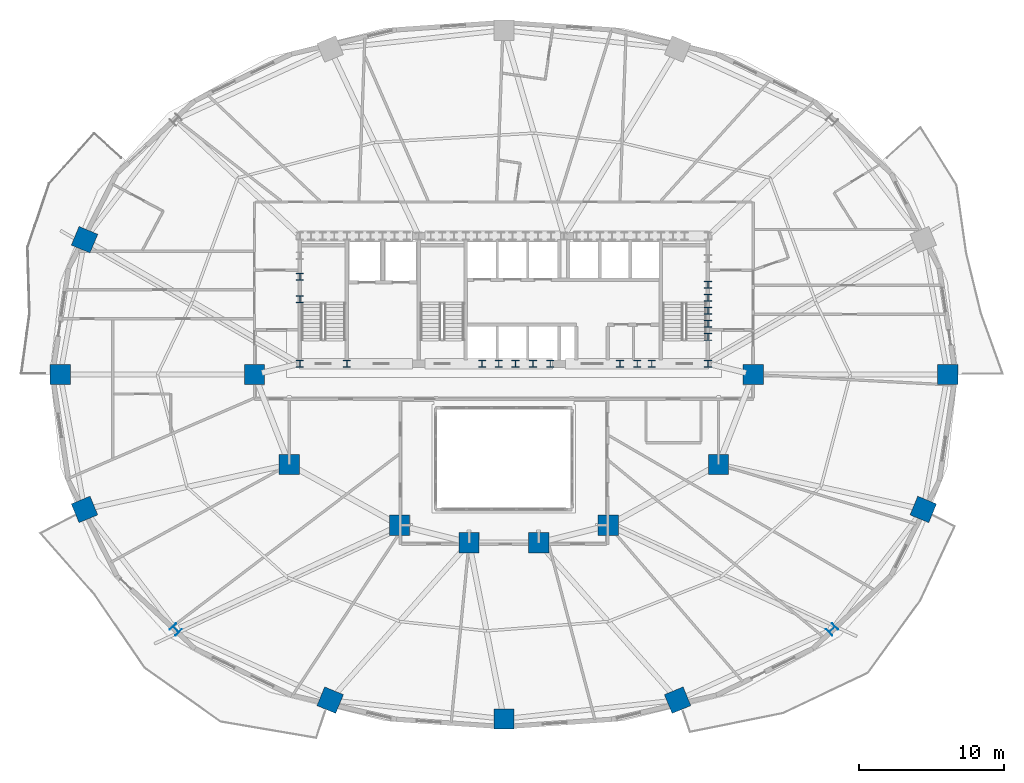
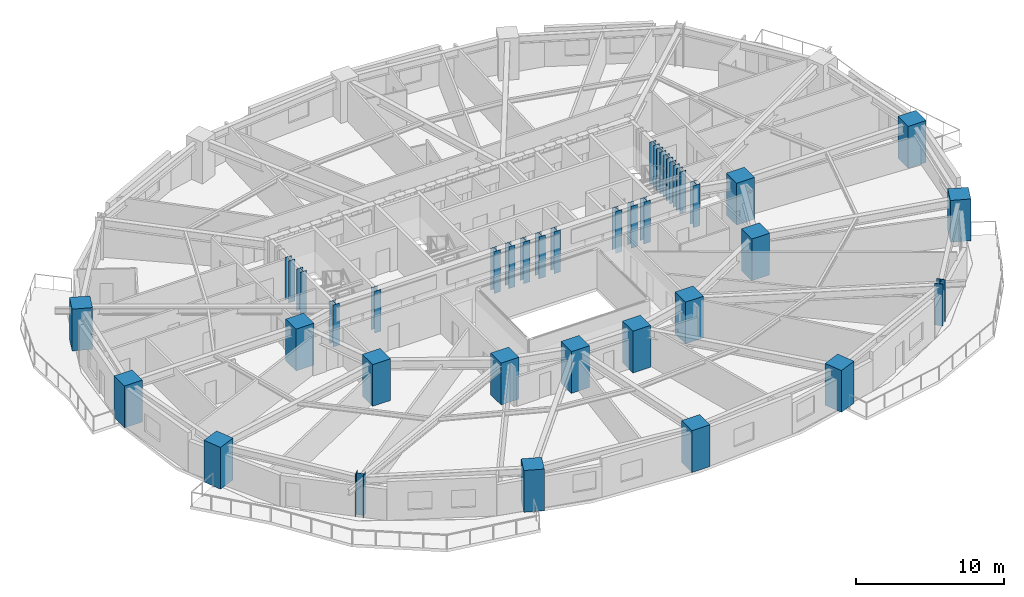
# One storey, part 1 of 18: 36 columns.
"""IFC4 building model written with IfcOpenShell, lengths in metres."""

from ifc_helpers import new_model, si_unit, direction, frame, origin, origin_2d, place, context, subcontext, project, spatial, rectangle, i_section, extrude, material, material_profile, profile_set, type_object, element, save


model = new_model("IFC4")

# Units and contexts
model_context = context("Model", 3, precision=1e-05, world=origin(), true_north=direction((0.0, 1.0)))
body_context = subcontext(model_context, "Body", "Model", "MODEL_VIEW")
ifc_project = project(units=[si_unit("LENGTHUNIT", "METRE"), si_unit("AREAUNIT", "SQUARE_METRE"), si_unit("VOLUMEUNIT", "CUBIC_METRE"), si_unit("PLANEANGLEUNIT", "RADIAN"), si_unit("MASSUNIT", "GRAM", prefix="KILO")], contexts=[model_context])

# Site, building, storey
site_placement = place(None, origin())
site = spatial("IfcSite", under=ifc_project, at=site_placement, CompositionType="ELEMENT")
building_placement = place(site_placement, origin())
building = spatial("IfcBuilding", under=site, at=building_placement, Name="Haldorwick Loom Tower", CompositionType="ELEMENT")
storey_placement = place(building_placement, frame((0.0, 0.0, 48.14990234375)))
storey = spatial("IfcBuildingStorey", under=building, at=storey_placement, Name="L12", CompositionType="ELEMENT", Elevation=48.14990234375)

# Columns
ifc_material_1 = material(Name="Concrete C60 (60 MPa)", Category="concrete")
ifc_material_profile_1 = material_profile(ifc_material_1, rectangle(XDim=1.39990234375, YDim=1.39990234375, at=origin_2d()), Name="RC1400X1400", Category="concrete")
ifc_profile_set_1 = profile_set([ifc_material_profile_1], Name="Concrete C60 (60 MPa)")
column_type_1 = type_object("IfcColumnType", Name="STR-COL-MEGA1400", PredefinedType="COLUMN", material=ifc_profile_set_1)
for number, where, z_axis, x_axis, name in (
    (1, (53.199951171875, 26.0, 0.0), (0.0, 0.0, 1.0), (1.0, 0.0, 0.0), "L12 Inner Column IC-01"),
    (2, (50.800048828125, 19.800048828125, 0.0), (0.0, 0.0, 1.0), (1.0, 0.0, 0.0), "L12 Inner Column IC-02"),
    (3, (43.199951171875, 15.60009765625, 0.0), (0.0, 0.0, 1.0), (1.0, 0.0, 0.0), "L12 Inner Column IC-03"),
    (4, (38.39990234375, 14.39990234375, 0.0), (0.0, 0.0, 1.0), (1.0, 0.0, 0.0), "L12 Inner Column IC-04"),
    (5, (33.60009765625, 14.39990234375, 0.0), (0.0, 0.0, 1.0), (1.0, 0.0, 0.0), "L12 Inner Column IC-05"),
    (6, (28.800048828125, 15.60009765625, 0.0), (0.0, 0.0, 1.0), (1.0, 0.0, 0.0), "L12 Inner Column IC-06"),
    (7, (21.199951171875, 19.800048828125, 0.0), (0.0, 0.0, 1.0), (1.0, 0.0, 0.0), "L12 Inner Column IC-07"),
    (8, (18.800048828125, 26.0, 0.0), (0.0, 0.0, 1.0), (1.0, 0.0, 0.0), "L12 Inner Column IC-08"),
):
    element("IfcColumn", number, at=place(storey_placement, frame(where, z_axis=z_axis, x_axis=x_axis)), inside=storey, type_object=column_type_1, Name=name, PredefinedType="COLUMN", context=body_context, shape_type="SweptSolid", body=[
        extrude(rectangle(XDim=1.39990234375, YDim=1.39990234375, at=origin_2d()), origin(), (0.0, 0.0, 1.0), 3.4501953125),
    ])
ifc_material_profile_2 = material_profile(ifc_material_1, rectangle(XDim=1.39990234375, YDim=1.39990234375, at=origin_2d()), Name="RC1400X1400", Category="concrete")
ifc_profile_set_2 = profile_set([ifc_material_profile_2], Name="Concrete C60 (60 MPa)")
column_type_2 = type_object("IfcColumnType", Name="STR-COL-RC1400", PredefinedType="PILASTER", material=ifc_profile_set_2)
for number, where, z_axis, x_axis, name in (
    (9, (66.595947265625, 26.0, 0.0), (0.0, 0.0, 1.0), (1.0, 0.0, 0.0), "L12 Perimeter Pier Column P01"),
    (10, (7.08251953125, 35.29931640625, 0.0), (0.0, 0.0, 1.0), (-0.923879532511, 0.382683432365, 0.0), "L12 Perimeter Pier Column P08"),
    (11, (5.404052734375, 26.0, 0.0), (0.0, 0.0, 1.0), (-1.0, 0.0, 0.0), "L12 Perimeter Pier Column P09"),
    (12, (7.08251953125, 16.70068359375, 0.0), (0.0, 0.0, 1.0), (-0.923879532511, -0.382683432365, 0.0), "L12 Perimeter Pier Column P10"),
    (13, (24.02197265625, 3.5498046875, 0.0), (0.0, 0.0, 1.0), (-0.382683432365, -0.923879532511, 0.0), "L12 Perimeter Pier Column P12"),
    (14, (36.0, 2.25, 0.0), (0.0, 0.0, 1.0), (0.0, -1.0, 0.0), "L12 Perimeter Pier Column P13"),
    (15, (47.97802734375, 3.5498046875, 0.0), (0.0, 0.0, 1.0), (0.382683432365, -0.923879532511, 0.0), "L12 Perimeter Pier Column P14"),
    (16, (64.91748046875, 16.70068359375, 0.0), (0.0, 0.0, 1.0), (0.923879532511, -0.382683432365, 0.0), "L12 Perimeter Pier Column P16"),
):
    element("IfcColumn", number, at=place(storey_placement, frame(where, z_axis=z_axis, x_axis=x_axis)), inside=storey, type_object=column_type_2, Name=name, PredefinedType="PILASTER", context=body_context, shape_type="SweptSolid", body=[
        extrude(rectangle(XDim=1.39990234375, YDim=1.39990234375, at=origin_2d()), origin(), (0.0, 0.0, 1.0), 3.4501953125),
    ])
ifc_material_2 = material(Name="Steel CSA G40.21 350WT", Category="steel")
ifc_material_profile_3 = material_profile(ifc_material_2, i_section(OverallWidth=0.5, OverallDepth=0.5, WebThickness=0.02197265625, FlangeThickness=0.031982421875, at=origin_2d()), Name="WWF500X500", Category="steel")
ifc_profile_set_3 = profile_set([ifc_material_profile_3], Name="Steel CSA G40.21 350WT")
column_type_3 = type_object("IfcColumnType", Name="STR-COL-WWF500", PredefinedType="COLUMN", material=ifc_profile_set_3)
for number, where, z_axis, x_axis, name in (
    (17, (21.929931640625, 26.75, 0.0), (0.0, 0.0, 1.0), (1.0, 0.0, 0.0), "L12 Core Pilaster CB-19"),
    (18, (25.169921875, 26.75, 0.0), (0.0, 0.0, 1.0), (1.0, 0.0, 0.0), "L12 Core Pilaster CB-20"),
    (19, (34.5, 26.75, 0.0), (0.0, 0.0, 1.0), (1.0, 0.0, 0.0), "L12 Core Pilaster CB-21"),
    (20, (36.800048828125, 26.75, 0.0), (0.0, 0.0, 1.0), (1.0, 0.0, 0.0), "L12 Core Pilaster CB-22"),
    (21, (39.199951171875, 26.75, 0.0), (0.0, 0.0, 1.0), (1.0, 0.0, 0.0), "L12 Core Pilaster CB-23"),
    (22, (45.199951171875, 26.75, 0.0), (0.0, 0.0, 1.0), (1.0, 0.0, 0.0), "L12 Core Pilaster CB-24"),
    (23, (50.070068359375, 26.75, 0.0), (0.0, 0.0, 1.0), (1.0, 0.0, 0.0), "L12 Core Pilaster CB-25"),
    (24, (21.929931640625, 31.199951171875, 0.0), (0.0, 0.0, 1.0), (1.0, 0.0, 0.0), "L12 Core Pilaster CB-26"),
    (25, (21.929931640625, 32.75, 0.0), (0.0, 0.0, 1.0), (1.0, 0.0, 0.0), "L12 Core Pilaster CB-27"),
    (26, (50.070068359375, 28.60009765625, 0.0), (0.0, 0.0, 1.0), (1.0, 0.0, 0.0), "L12 Core Pilaster CB-29"),
    (27, (50.070068359375, 30.39990234375, 0.0), (0.0, 0.0, 1.0), (1.0, 0.0, 0.0), "L12 Core Pilaster CB-30"),
    (28, (50.070068359375, 32.199951171875, 0.0), (0.0, 0.0, 1.0), (1.0, 0.0, 0.0), "L12 Core Pilaster CB-31"),
    (29, (50.070068359375, 29.5, 0.0), (0.0, 0.0, 1.0), (1.0, 0.0, 0.0), "L12 Core Pilaster CB-49"),
    (30, (50.070068359375, 31.300048828125, 0.0), (0.0, 0.0, 1.0), (1.0, 0.0, 0.0), "L12 Core Pilaster CB-50"),
    (31, (35.64990234375, 26.75, 0.0), (0.0, 0.0, 1.0), (1.0, 0.0, 0.0), "L12 Core Pilaster CB-51"),
    (32, (38.0, 26.75, 0.0), (0.0, 0.0, 1.0), (1.0, 0.0, 0.0), "L12 Core Pilaster CB-52"),
    (33, (44.0, 26.75, 0.0), (0.0, 0.0, 1.0), (1.0, 0.0, 0.0), "L12 Core Pilaster CB-53"),
    (34, (46.199951171875, 26.75, 0.0), (0.0, 0.0, 1.0), (1.0, 0.0, 0.0), "L12 Core Pilaster CB-54"),
):
    element("IfcColumn", number, at=place(storey_placement, frame(where, z_axis=z_axis, x_axis=x_axis)), inside=storey, type_object=column_type_3, Name=name, PredefinedType="COLUMN", context=body_context, shape_type="SweptSolid", body=[
        extrude(i_section(OverallWidth=0.5, OverallDepth=0.5, WebThickness=0.02197265625, FlangeThickness=0.031982421875, at=origin_2d()), origin(), (0.0, 0.0, 1.0), 3.4501953125),
    ])
ifc_material_profile_4 = material_profile(ifc_material_2, i_section(OverallWidth=0.60009765625, OverallDepth=0.60009765625, WebThickness=0.02490234375, FlangeThickness=0.035888671875, at=origin_2d()), Name="WWF600X600", Category="steel")
ifc_profile_set_4 = profile_set([ifc_material_profile_4], Name="Steel CSA G40.21 350WT")
column_type_4 = type_object("IfcColumnType", Name="STR-COL-WWF600", PredefinedType="COLUMN", material=ifc_profile_set_4)
for number, where, z_axis, x_axis, name in (
    (35, (13.369873046875, 8.428466796875, 0.0), (0.0, 0.0, 1.0), (-0.707106781187, -0.707106781187, 0.0), "L12 Perimeter Pier Column P11"),
    (36, (58.630126953125, 8.428466796875, 0.0), (0.0, 0.0, 1.0), (0.707106781187, -0.707106781187, 0.0), "L12 Perimeter Pier Column P15"),
):
    element("IfcColumn", number, at=place(storey_placement, frame(where, z_axis=z_axis, x_axis=x_axis)), inside=storey, type_object=column_type_4, Name=name, PredefinedType="COLUMN", context=body_context, shape_type="SweptSolid", body=[
        extrude(i_section(OverallWidth=0.60009765625, OverallDepth=0.60009765625, WebThickness=0.02490234375, FlangeThickness=0.035888671875, at=origin_2d()), origin(), (0.0, 0.0, 1.0), 3.4501953125),
    ])

save(model, "model.ifc")
